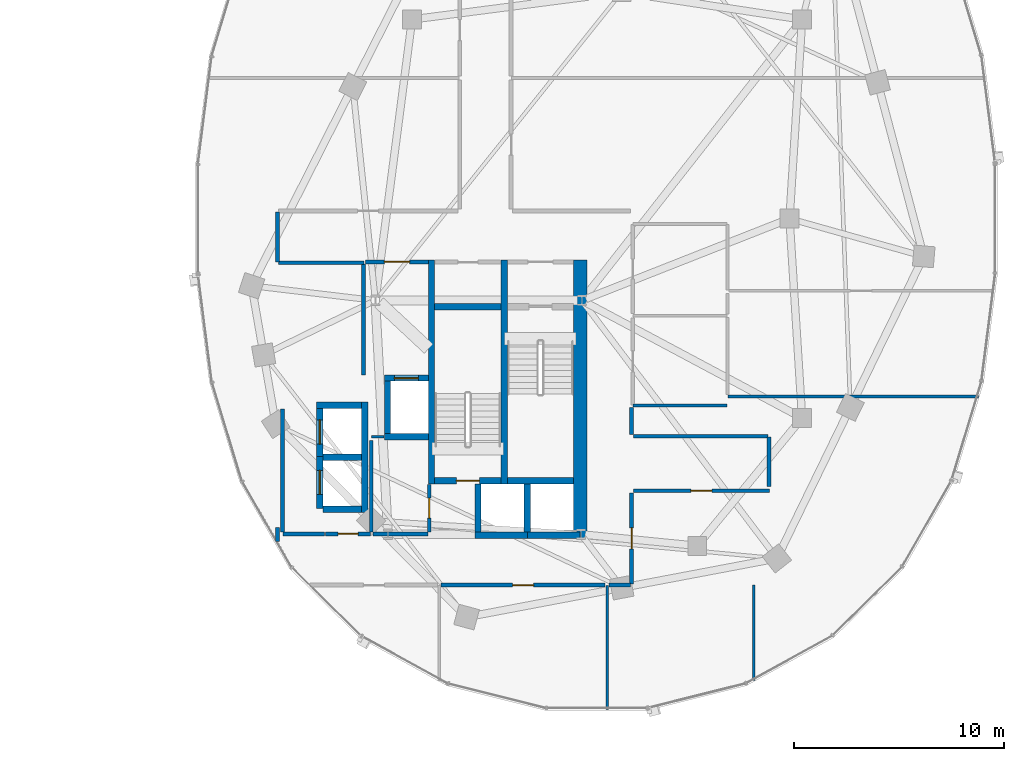
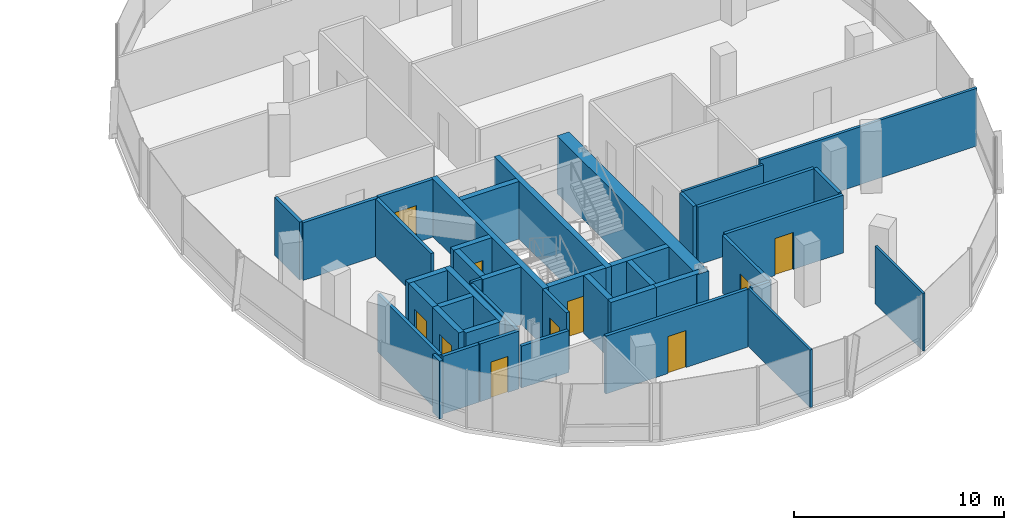
# One storey, part 14 of 23: 42 walls, 10 doors, 10 openings.
"""IFC4 building model written with IfcOpenShell, lengths in metres."""

from ifc_helpers import new_model, si_unit, direction, frame, frame_2d, origin, place, context, subcontext, project, spatial, rectangle, extrude, material, layer, layer_set, type_object, element, fill, save


model = new_model("IFC4")

# Units and contexts
model_context = context("Model", 3, precision=1e-05, world=origin(), true_north=direction((0.0, 1.0)))
body_context = subcontext(model_context, "Body", "Model", "MODEL_VIEW")
ifc_project = project(units=[si_unit("LENGTHUNIT", "METRE"), si_unit("AREAUNIT", "SQUARE_METRE"), si_unit("VOLUMEUNIT", "CUBIC_METRE"), si_unit("PLANEANGLEUNIT", "RADIAN"), si_unit("MASSUNIT", "GRAM", prefix="KILO"), si_unit("THERMODYNAMICTEMPERATUREUNIT", "KELVIN"), si_unit("POWERUNIT", "WATT")], contexts=[model_context])

# Site, building, storey
site_placement = place(None, origin())
site = spatial("IfcSite", under=ifc_project, at=site_placement, CompositionType="ELEMENT")
building_placement = place(site_placement, origin())
building = spatial("IfcBuilding", under=site, at=building_placement, Name="Cundina Bronze Exchange", CompositionType="ELEMENT")
storey_placement = place(building_placement, frame((0.0, 0.0, 176.39990234375)))
storey = spatial("IfcBuildingStorey", under=building, at=storey_placement, Name="L46", CompositionType="ELEMENT", Elevation=176.39990234375)

# Wall
ifc_material_1 = material(Name="Gypsum Fireboard Partition EI120")
ifc_layer_1 = layer(ifc_material_1, 0.179931640625, Name="Gypsum Fireboard Partition EI120")
ifc_layer_set_1 = layer_set([ifc_layer_1], Name="Gypsum Fireboard Partition EI120")
wall_type_1 = type_object("IfcWallType", Name="WL-COR-180", PredefinedType="PARTITIONING", material=ifc_layer_set_1)
wall_1_placement = place(storey_placement, frame((20.889892578125, -7.449951171875, 0.0), z_axis=(0.0, 0.0, 1.0), x_axis=(0.0, 1.0, 0.0)))
element("IfcWall", 1, at=wall_1_placement, inside=storey, type_object=wall_type_1, Name="L46 E Firefighting Lobby Side Wall", PredefinedType="PARTITIONING", context=body_context, shape_type="SweptSolid", body=[
    extrude(rectangle(XDim=5.300048828125, YDim=0.179931640625, at=frame_2d((2.64990234375, 0.0))), origin(), (0.0, 0.0, 1.0), 3.360107421875),
])

# Wall, opening, door
wall_2_placement = place(storey_placement, frame((20.97998046875, -2.06005859375, 0.0), z_axis=(0.0, 0.0, 1.0), x_axis=(1.0, 0.0, 0.0)))
wall_2 = element("IfcWall", 2, at=wall_2_placement, inside=storey, type_object=wall_type_1, Name="L46 E Firefighting Lobby Exit Wall", PredefinedType="PARTITIONING", context=body_context, shape_type="SweptSolid", body=[
    extrude(rectangle(XDim=3.0, YDim=0.179931640625, at=frame_2d((1.5, 0.0))), origin(), (0.0, 0.0, 1.0), 3.360107421875),
])
opening_1_placement = place(wall_2_placement, frame((0.89990234375, 0.0, 0.0)))
opening_1 = element("IfcOpeningElement", 3, at=opening_1_placement, cuts=wall_2, Name="Opening DF-01", PredefinedType="OPENING", context=body_context, shape_type="SweptSolid", body=[
    extrude(rectangle(XDim=1.199951171875, YDim=2.14990234375, at=frame_2d((0.60009765625, 1.074951171875))), frame((0.0, 0.099853515625, 0.0), z_axis=(0.0, -1.0, 0.0), x_axis=(1.0, 0.0, 0.0)), (0.0, 0.0, 1.0), 0.199951171875),
])
ifc_material_2 = material(Name="Steel ASTM A36 Painted", Category="steel")
door_type_1 = type_object("IfcDoorType", Name="DR-FFL-1200", OperationType="NOTDEFINED", PredefinedType="DOOR", material=ifc_material_2)
door_1_placement = place(opening_1_placement, origin())
door_1 = element("IfcDoor", 4, at=door_1_placement, inside=storey, type_object=door_type_1, Name="L46 E Firefighting Lobby Door", OperationType="SINGLE_SWING_LEFT", OverallHeight=2.14990234375, OverallWidth=1.199951171875, PredefinedType="DOOR", context=body_context, shape_type="SweptSolid", body=[
    extrude(rectangle(XDim=1.199951171875, YDim=2.14990234375, at=frame_2d((0.60009765625, 1.074951171875))), frame((0.0, 0.02490234375, 0.0), z_axis=(0.0, -1.0, 0.0), x_axis=(1.0, 0.0, 0.0)), (0.0, 0.0, 1.0), 0.050048828125),
])
fill(opening_1, door_1)

# Walls
wall_3_placement = place(storey_placement, frame((17.02001953125, -14.929931640625, 0.0), z_axis=(0.0, 0.0, 1.0), x_axis=(0.0, 1.0, 0.0)))
element("IfcWall", 5, at=wall_3_placement, inside=storey, type_object=wall_type_1, Name="L46 Interior Partition 045", PredefinedType="PARTITIONING", context=body_context, shape_type="SweptSolid", body=[
    extrude(rectangle(XDim=5.85986328125, YDim=0.179931640625, at=frame_2d((2.929931640625, 0.0))), origin(), (0.0, 0.0, 1.0), 3.360107421875),
])
wall_4_placement = place(storey_placement, frame((17.0400390625, -15.030029296875, 0.0), z_axis=(0.0, 0.0, 1.0), x_axis=(1.0, 0.0, 0.0)))
element("IfcWall", 6, at=wall_4_placement, inside=storey, type_object=wall_type_1, Name="L46 Interior Partition 046", PredefinedType="PARTITIONING", context=body_context, shape_type="SweptSolid", body=[
    extrude(rectangle(XDim=1.989990234375, YDim=0.179931640625, at=frame_2d((0.9951171875, 0.0))), origin(), (0.0, 0.0, 1.0), 3.360107421875),
])

# Wall, opening, door
wall_5_placement = place(storey_placement, frame((21.22998046875, -15.030029296875, 0.0), z_axis=(0.0, 0.0, 1.0), x_axis=(-1.0, 0.0, 0.0)))
wall_5 = element("IfcWall", 7, at=wall_5_placement, inside=storey, type_object=wall_type_1, Name="L46 Interior Partition 047", PredefinedType="PARTITIONING", context=body_context, shape_type="SweptSolid", body=[
    extrude(rectangle(XDim=2.159912109375, YDim=0.179931640625, at=frame_2d((1.080078125, 0.0))), origin(), (0.0, 0.0, 1.0), 3.360107421875),
])
opening_2_placement = place(wall_5_placement, frame((0.60498046875, 0.0, 0.0)))
opening_2 = element("IfcOpeningElement", 8, at=opening_2_placement, cuts=wall_5, Name="Opening DW-01", PredefinedType="OPENING", context=body_context, shape_type="SweptSolid", body=[
    extrude(rectangle(XDim=0.949951171875, YDim=2.10009765625, at=frame_2d((0.47509765625, 1.050048828125))), frame((0.0, 0.099853515625, 0.0), z_axis=(0.0, -1.0, 0.0), x_axis=(1.0, 0.0, 0.0)), (0.0, 0.0, 1.0), 0.199951171875),
])
ifc_material_3 = material(Name="Solid Andean Oak Timber Grade A", Category="wood")
door_type_2 = type_object("IfcDoorType", Name="DR-WC-950", OperationType="NOTDEFINED", PredefinedType="DOOR", material=ifc_material_3)
door_2_placement = place(opening_2_placement, origin())
door_2 = element("IfcDoor", 9, at=door_2_placement, inside=storey, type_object=door_type_2, Name="L46 Interior Door 047", OperationType="SINGLE_SWING_RIGHT", OverallHeight=2.10009765625, OverallWidth=0.949951171875, PredefinedType="DOOR", context=body_context, shape_type="SweptSolid", body=[
    extrude(rectangle(XDim=0.949951171875, YDim=2.10009765625, at=frame_2d((0.47509765625, 1.050048828125))), frame((0.0, 0.02490234375, 0.0), z_axis=(0.0, -1.0, 0.0), x_axis=(1.0, 0.0, 0.0)), (0.0, 0.0, 1.0), 0.050048828125),
])
fill(opening_2, door_2)

# Walls
wall_6_placement = place(storey_placement, frame((21.25, -14.929931640625, 0.0), z_axis=(0.0, 0.0, 1.0), x_axis=(0.0, 1.0, 0.0)))
element("IfcWall", 10, at=wall_6_placement, inside=storey, type_object=wall_type_1, Name="L46 Interior Partition 049", PredefinedType="PARTITIONING", context=body_context, shape_type="SweptSolid", body=[
    extrude(rectangle(XDim=4.35986328125, YDim=0.179931640625, at=frame_2d((2.179931640625, 0.0))), origin(), (0.0, 0.0, 1.0), 3.360107421875),
])
wall_7_placement = place(storey_placement, frame((21.35009765625, -15.030029296875, 0.0), z_axis=(0.0, 0.0, 1.0), x_axis=(1.0, 0.0, 0.0)))
element("IfcWall", 11, at=wall_7_placement, inside=storey, type_object=wall_type_1, Name="L46 Interior Partition 050", PredefinedType="PARTITIONING", context=body_context, shape_type="SweptSolid", body=[
    extrude(rectangle(XDim=2.60986328125, YDim=0.179931640625, at=frame_2d((1.304931640625, 0.0))), origin(), (0.0, 0.0, 1.0), 2.43310546875),
])

# Wall, opening, door
wall_8_placement = place(storey_placement, frame((24.02001953125, -14.929931640625, 0.0), z_axis=(0.0, 0.0, 1.0), x_axis=(0.0, 1.0, 0.0)))
wall_8 = element("IfcWall", 12, at=wall_8_placement, inside=storey, type_object=wall_type_1, Name="L46 Interior Partition 052", PredefinedType="PARTITIONING", context=body_context, shape_type="SweptSolid", body=[
    extrude(rectangle(XDim=2.260009765625, YDim=0.179931640625, at=frame_2d((1.1298828125, 0.0))), origin(), (0.0, 0.0, 1.0), 3.360107421875),
])
opening_3_placement = place(wall_8_placement, frame((0.655029296875, 0.0, 0.0)))
opening_3 = element("IfcOpeningElement", 13, at=opening_3_placement, cuts=wall_8, Name="Opening DW-01", PredefinedType="OPENING", context=body_context, shape_type="SweptSolid", body=[
    extrude(rectangle(XDim=0.949951171875, YDim=2.10009765625, at=frame_2d((0.47509765625, 1.050048828125))), frame((0.0, 0.099853515625, 0.0), z_axis=(0.0, -1.0, 0.0), x_axis=(1.0, 0.0, 0.0)), (0.0, 0.0, 1.0), 0.199951171875),
])
door_3_placement = place(opening_3_placement, origin())
door_3 = element("IfcDoor", 14, at=door_3_placement, inside=storey, type_object=door_type_2, Name="L46 Interior Door 052", OperationType="SINGLE_SWING_RIGHT", OverallHeight=2.10009765625, OverallWidth=0.949951171875, PredefinedType="DOOR", context=body_context, shape_type="SweptSolid", body=[
    extrude(rectangle(XDim=0.949951171875, YDim=2.10009765625, at=frame_2d((0.47509765625, 1.050048828125))), frame((0.0, 0.02490234375, 0.0), z_axis=(0.0, -1.0, 0.0), x_axis=(1.0, 0.0, 0.0)), (0.0, 0.0, 1.0), 0.050048828125),
])
fill(opening_3, door_3)

wall_9_placement = place(storey_placement, frame((24.590087890625, -17.469970703125, 0.0), z_axis=(0.0, 0.0, 1.0), x_axis=(1.0, 0.0, 0.0)))
wall_9 = element("IfcWall", 15, at=wall_9_placement, inside=storey, type_object=wall_type_1, Name="L46 Interior Partition 067", PredefinedType="PARTITIONING", context=body_context, shape_type="SweptSolid", body=[
    extrude(rectangle(XDim=7.81982421875, YDim=0.179931640625, at=frame_2d((3.909912109375, 0.0))), origin(), (0.0, 0.0, 1.0), 3.360107421875),
])
opening_4_placement = place(wall_9_placement, frame((3.409912109375, 0.0, 0.0)))
opening_4 = element("IfcOpeningElement", 16, at=opening_4_placement, cuts=wall_9, Name="Opening DO-01", PredefinedType="OPENING", context=body_context, shape_type="SweptSolid", body=[
    extrude(rectangle(XDim=1.0, YDim=2.14990234375, at=frame_2d((0.5, 1.074951171875))), frame((0.0, 0.099853515625, 0.0), z_axis=(0.0, -1.0, 0.0), x_axis=(1.0, 0.0, 0.0)), (0.0, 0.0, 1.0), 0.199951171875),
])
door_type_3 = type_object("IfcDoorType", Name="DR-OFF-1000", OperationType="NOTDEFINED", PredefinedType="DOOR", material=ifc_material_3)
door_4_placement = place(opening_4_placement, origin())
door_4 = element("IfcDoor", 17, at=door_4_placement, inside=storey, type_object=door_type_3, Name="L46 Interior Door 067", OperationType="SINGLE_SWING_LEFT", OverallHeight=2.14990234375, OverallWidth=1.0, PredefinedType="DOOR", context=body_context, shape_type="SweptSolid", body=[
    extrude(rectangle(XDim=1.0, YDim=2.14990234375, at=frame_2d((0.5, 1.074951171875))), frame((0.0, 0.02490234375, 0.0), z_axis=(0.0, -1.0, 0.0), x_axis=(1.0, 0.0, 0.0)), (0.0, 0.0, 1.0), 0.050048828125),
])
fill(opening_4, door_4)

wall_10_placement = place(storey_placement, frame((33.669921875, -17.428466796875, 0.0), z_axis=(0.0, 0.0, 1.0), x_axis=(0.0, 1.0, 0.0)))
wall_10 = element("IfcWall", 18, at=wall_10_placement, inside=storey, type_object=wall_type_1, Name="L46 Interior Partition 069", PredefinedType="PARTITIONING", context=body_context, shape_type="SweptSolid", body=[
    extrude(rectangle(XDim=4.3583984375, YDim=0.179931640625, at=frame_2d((2.17919921875, 0.0))), origin(), (0.0, 0.0, 1.0), 3.360107421875),
])
opening_5_placement = place(wall_10_placement, frame((1.67919921875, 0.0, 0.0)))
opening_5 = element("IfcOpeningElement", 19, at=opening_5_placement, cuts=wall_10, Name="Opening DO-01", PredefinedType="OPENING", context=body_context, shape_type="SweptSolid", body=[
    extrude(rectangle(XDim=1.0, YDim=2.14990234375, at=frame_2d((0.5, 1.074951171875))), frame((0.0, 0.099853515625, 0.0), z_axis=(0.0, -1.0, 0.0), x_axis=(1.0, 0.0, 0.0)), (0.0, 0.0, 1.0), 0.199951171875),
])
door_5_placement = place(opening_5_placement, origin())
door_5 = element("IfcDoor", 20, at=door_5_placement, inside=storey, type_object=door_type_3, Name="L46 Interior Door 069", OperationType="SINGLE_SWING_RIGHT", OverallHeight=2.14990234375, OverallWidth=1.0, PredefinedType="DOOR", context=body_context, shape_type="SweptSolid", body=[
    extrude(rectangle(XDim=1.0, YDim=2.14990234375, at=frame_2d((0.5, 1.074951171875))), frame((0.0, 0.02490234375, 0.0), z_axis=(0.0, -1.0, 0.0), x_axis=(1.0, 0.0, 0.0)), (0.0, 0.0, 1.0), 0.050048828125),
])
fill(opening_5, door_5)

# Wall
wall_11_placement = place(storey_placement, frame((32.590087890625, -17.469970703125, 0.0), z_axis=(0.0, 0.0, 1.0), x_axis=(1.0, 0.0, 0.0)))
element("IfcWall", 21, at=wall_11_placement, inside=storey, type_object=wall_type_1, Name="L46 Interior Partition 070", PredefinedType="PARTITIONING", context=body_context, shape_type="SweptSolid", body=[
    extrude(rectangle(XDim=1.038330078125, YDim=0.179931640625, at=frame_2d((0.51904296875, 0.0))), origin(), (0.0, 0.0, 1.0), 3.360107421875),
])

# Wall, opening, door
wall_12_placement = place(storey_placement, frame((40.238525390625, -12.969970703125, 0.0), z_axis=(0.0, 0.0, 1.0), x_axis=(-1.0, 0.0, 0.0)))
wall_12 = element("IfcWall", 22, at=wall_12_placement, inside=storey, type_object=wall_type_1, Name="L46 Interior Partition 071", PredefinedType="PARTITIONING", context=body_context, shape_type="SweptSolid", body=[
    extrude(rectangle(XDim=6.488525390625, YDim=0.179931640625, at=frame_2d((3.244140625, 0.0))), origin(), (0.0, 0.0, 1.0), 3.360107421875),
])
opening_6_placement = place(wall_12_placement, frame((2.744384765625, 0.0, 0.0)))
opening_6 = element("IfcOpeningElement", 23, at=opening_6_placement, cuts=wall_12, Name="Opening DO-01", PredefinedType="OPENING", context=body_context, shape_type="SweptSolid", body=[
    extrude(rectangle(XDim=1.0, YDim=2.14990234375, at=frame_2d((0.5, 1.074951171875))), frame((0.0, 0.099853515625, 0.0), z_axis=(0.0, -1.0, 0.0), x_axis=(1.0, 0.0, 0.0)), (0.0, 0.0, 1.0), 0.199951171875),
])
door_6_placement = place(opening_6_placement, origin())
door_6 = element("IfcDoor", 24, at=door_6_placement, inside=storey, type_object=door_type_3, Name="L46 Interior Door 071", OperationType="SINGLE_SWING_LEFT", OverallHeight=2.14990234375, OverallWidth=1.0, PredefinedType="DOOR", context=body_context, shape_type="SweptSolid", body=[
    extrude(rectangle(XDim=1.0, YDim=2.14990234375, at=frame_2d((0.5, 1.074951171875))), frame((0.0, 0.02490234375, 0.0), z_axis=(0.0, -1.0, 0.0), x_axis=(1.0, 0.0, 0.0)), (0.0, 0.0, 1.0), 0.050048828125),
])
fill(opening_6, door_6)

# Walls
wall_13_placement = place(storey_placement, frame((40.178466796875, -10.3798828125, 0.0), z_axis=(0.0, 0.0, 1.0), x_axis=(-1.0, 0.0, 0.0)))
element("IfcWall", 25, at=wall_13_placement, inside=storey, type_object=wall_type_1, Name="L46 Interior Partition 072", PredefinedType="PARTITIONING", context=body_context, shape_type="SweptSolid", body=[
    extrude(rectangle(XDim=6.428466796875, YDim=0.179931640625, at=frame_2d((3.21435546875, 0.0))), origin(), (0.0, 0.0, 1.0), 3.360107421875),
])
wall_14_placement = place(storey_placement, frame((40.219970703125, -12.778564453125, 0.0), z_axis=(0.0, 0.0, 1.0), x_axis=(0.0, 1.0, 0.0)))
element("IfcWall", 26, at=wall_14_placement, inside=storey, type_object=wall_type_1, Name="L46 Interior Partition 073", PredefinedType="PARTITIONING", context=body_context, shape_type="SweptSolid", body=[
    extrude(rectangle(XDim=2.357177734375, YDim=0.179931640625, at=frame_2d((1.1787109375, 0.0))), origin(), (0.0, 0.0, 1.0), 3.360107421875),
])
wall_15_placement = place(storey_placement, frame((33.669921875, -10.300048828125, 0.0), z_axis=(0.0, 0.0, 1.0), x_axis=(0.0, 1.0, 0.0)))
element("IfcWall", 27, at=wall_15_placement, inside=storey, type_object=wall_type_1, Name="L46 Interior Partition 074", PredefinedType="PARTITIONING", context=body_context, shape_type="SweptSolid", body=[
    extrude(rectangle(XDim=1.298583984375, YDim=0.179931640625, at=frame_2d((0.6494140625, 0.0))), origin(), (0.0, 0.0, 1.0), 3.360107421875),
])
wall_16_placement = place(storey_placement, frame((16.821533203125, -2.10009765625, 0.0), z_axis=(0.0, 0.0, 1.0), x_axis=(1.0, 0.0, 0.0)))
element("IfcWall", 28, at=wall_16_placement, inside=storey, type_object=wall_type_1, Name="L46 Interior Partition 077", PredefinedType="PARTITIONING", context=body_context, shape_type="SweptSolid", body=[
    extrude(rectangle(XDim=4.098388671875, YDim=0.179931640625, at=frame_2d((2.04931640625, 0.0))), origin(), (0.0, 0.0, 1.0), 3.360107421875),
])
wall_17_placement = place(storey_placement, frame((16.780029296875, 0.32861328125, 0.0), z_axis=(0.0, 0.0, 1.0), x_axis=(0.0, -1.0, 0.0)))
element("IfcWall", 29, at=wall_17_placement, inside=storey, type_object=wall_type_1, Name="L46 Interior Partition 078", PredefinedType="PARTITIONING", context=body_context, shape_type="SweptSolid", body=[
    extrude(rectangle(XDim=2.38720703125, YDim=0.179931640625, at=frame_2d((1.193603515625, 0.0))), origin(), (0.0, 0.0, 1.0), 3.360107421875),
])
wall_18_placement = place(storey_placement, frame((16.780029296875, -14.721435546875, 0.0), z_axis=(0.0, 0.0, 1.0), x_axis=(0.0, -1.0, 0.0)))
element("IfcWall", 30, at=wall_18_placement, inside=storey, type_object=wall_type_1, Name="L46 Interior Partition 079", PredefinedType="PARTITIONING", context=body_context, shape_type="SweptSolid", body=[
    extrude(rectangle(XDim=0.68359375, YDim=0.179931640625, at=frame_2d((0.341796875, 0.0))), origin(), (0.0, 0.0, 1.0), 3.360107421875),
])
ifc_material_4 = material(Name="Concrete C50/60", Category="concrete")
ifc_layer_2 = layer(ifc_material_4, 0.64990234375, Name="Concrete C50/60", Category="concrete")
ifc_layer_set_2 = layer_set([ifc_layer_2], Name="Concrete C50/60")
wall_type_2 = type_object("IfcWallType", Name="WL-CORE-650", PredefinedType="SHEAR", material=ifc_layer_set_2)
wall_19_placement = place(storey_placement, frame((31.22509765625, -15.300048828125, 0.0), z_axis=(0.0, 0.0, 1.0), x_axis=(0.0, 1.0, 0.0)))
element("IfcWall", 31, at=wall_19_placement, inside=storey, type_object=wall_type_2, Name="L46 E Primary Core Shear Spine Wall", PredefinedType="SHEAR", context=body_context, shape_type="SweptSolid", body=[
    extrude(rectangle(XDim=13.330078125, YDim=0.64990234375, at=frame_2d((6.6650390625, 0.0))), origin(), (0.0, 0.0, 1.0), 3.360107421875),
])
ifc_material_5 = material(Name="Gypsum Acoustic Partition EI60")
ifc_layer_3 = layer(ifc_material_5, 0.125, Name="Gypsum Acoustic Partition EI60")
ifc_layer_set_3 = layer_set([ifc_layer_3], Name="Gypsum Acoustic Partition EI60")
wall_type_3 = type_object("IfcWallType", Name="WL-OFF-125", PredefinedType="PARTITIONING", material=ifc_layer_set_3)
wall_20_placement = place(storey_placement, frame((32.5, -23.402099609375, 0.0), z_axis=(0.0, 0.0, 1.0), x_axis=(0.0, 1.0, 0.0)))
element("IfcWall", 32, at=wall_20_placement, inside=storey, type_object=wall_type_3, Name="L46 Interior Partition 065", PredefinedType="PARTITIONING", context=body_context, shape_type="SweptSolid", body=[
    extrude(rectangle(XDim=5.902099609375, YDim=0.125, at=frame_2d((2.951171875, 0.0))), origin(), (0.0, 0.0, 1.0), 3.360107421875),
])
wall_21_placement = place(storey_placement, frame((39.5, -22.025146484375, 0.0), z_axis=(0.0, 0.0, 1.0), x_axis=(0.0, 1.0, 0.0)))
element("IfcWall", 33, at=wall_21_placement, inside=storey, type_object=wall_type_3, Name="L46 Interior Partition 066", PredefinedType="PARTITIONING", context=body_context, shape_type="SweptSolid", body=[
    extrude(rectangle(XDim=4.55517578125, YDim=0.125, at=frame_2d((2.277587890625, 0.0))), origin(), (0.0, 0.0, 1.0), 3.360107421875),
])
ifc_layer_4 = layer(ifc_material_4, 0.300048828125, Name="Concrete C50/60", Category="concrete")
ifc_layer_set_4 = layer_set([ifc_layer_4], Name="Concrete C50/60")
wall_type_4 = type_object("IfcWallType", Name="WL-SHFT-300", PredefinedType="SHEAR", material=ifc_layer_set_4)
for number, where, z_axis, x_axis, name in (
    (34, (27.590087890625, -12.64990234375, 0.0), (0.0, 0.0, 1.0), (0.0, 1.0, 0.0), "L46 E Stair Shaft Dividing Shear Wall"),
    (35, (24.1298828125, -12.64990234375, 0.0), (0.0, 0.0, 1.0), (0.0, 1.0, 0.0), "L46 E Stair 2 East Shear Wall"),
):
    element("IfcWall", number, at=place(storey_placement, frame(where, z_axis=z_axis, x_axis=x_axis)), inside=storey, type_object=wall_type_4, Name=name, PredefinedType="SHEAR", context=body_context, shape_type="SweptSolid", body=[
        extrude(rectangle(XDim=10.679931640625, YDim=0.300048828125, at=frame_2d((5.33984375, 0.0))), origin(), (0.0, 0.0, 1.0), 3.360107421875),
    ])
wall_22_placement = place(storey_placement, frame((27.739990234375, -12.5, 0.0), z_axis=(0.0, 0.0, 1.0), x_axis=(1.0, 0.0, 0.0)))
element("IfcWall", 36, at=wall_22_placement, inside=storey, type_object=wall_type_4, Name="L46 Stair E1 Far Shaft Wall", PredefinedType="SHEAR", context=body_context, shape_type="SweptSolid", body=[
    extrude(rectangle(XDim=3.159912109375, YDim=0.300048828125, at=frame_2d((1.580078125, 0.0))), origin(), (0.0, 0.0, 1.0), 3.360107421875),
])

# Wall, opening, door
wall_23_placement = place(storey_placement, frame((24.280029296875, -12.5, 0.0), z_axis=(0.0, 0.0, 1.0), x_axis=(1.0, 0.0, 0.0)))
wall_23 = element("IfcWall", 37, at=wall_23_placement, inside=storey, type_object=wall_type_4, Name="L46 Stair E2 Landing Wall", PredefinedType="SHEAR", context=body_context, shape_type="SweptSolid", body=[
    extrude(rectangle(XDim=3.159912109375, YDim=0.300048828125, at=frame_2d((1.580078125, 0.0))), origin(), (0.0, 0.0, 1.0), 3.360107421875),
])
opening_7_placement = place(wall_23_placement, frame((1.030029296875, 0.0, 0.0)))
opening_7 = element("IfcOpeningElement", 38, at=opening_7_placement, cuts=wall_23, Name="Opening DS-01", PredefinedType="OPENING", context=body_context, shape_type="SweptSolid", body=[
    extrude(rectangle(XDim=1.10009765625, YDim=2.14990234375, at=frame_2d((0.550048828125, 1.074951171875))), frame((0.0, 0.159912109375, 0.0), z_axis=(0.0, -1.0, 0.0), x_axis=(1.0, 0.0, 0.0)), (0.0, 0.0, 1.0), 0.320068359375),
])
door_type_4 = type_object("IfcDoorType", Name="DR-STR-1100", OperationType="NOTDEFINED", PredefinedType="DOOR", material=ifc_material_2)
door_7_placement = place(opening_7_placement, origin())
door_7 = element("IfcDoor", 39, at=door_7_placement, inside=storey, type_object=door_type_4, Name="L46 Smokeproof Stair E2 Door", OperationType="SINGLE_SWING_RIGHT", OverallHeight=2.14990234375, OverallWidth=1.10009765625, PredefinedType="DOOR", context=body_context, shape_type="SweptSolid", body=[
    extrude(rectangle(XDim=1.10009765625, YDim=2.14990234375, at=frame_2d((0.550048828125, 1.074951171875))), frame((0.0, 0.02490234375, 0.0), z_axis=(0.0, -1.0, 0.0), x_axis=(1.0, 0.0, 0.0)), (0.0, 0.0, 1.0), 0.050048828125),
])
fill(opening_7, door_7)

# Wall
wall_24_placement = place(storey_placement, frame((24.280029296875, -4.199951171875, 0.0), z_axis=(0.0, 0.0, 1.0), x_axis=(1.0, 0.0, 0.0)))
element("IfcWall", 40, at=wall_24_placement, inside=storey, type_object=wall_type_4, Name="L46 Stair E2 Far Shaft Wall", PredefinedType="SHEAR", context=body_context, shape_type="SweptSolid", body=[
    extrude(rectangle(XDim=3.159912109375, YDim=0.300048828125, at=frame_2d((1.580078125, 0.0))), origin(), (0.0, 0.0, 1.0), 3.360107421875),
])

# Wall, opening, door
wall_25_placement = place(storey_placement, frame((21.8798828125, -7.60009765625, 0.0), z_axis=(0.0, 0.0, 1.0), x_axis=(1.0, 0.0, 0.0)))
wall_25 = element("IfcWall", 41, at=wall_25_placement, inside=storey, type_object=wall_type_4, Name="L46 FFL-E Hoistway Front Wall", PredefinedType="SHEAR", context=body_context, shape_type="SweptSolid", body=[
    extrude(rectangle(XDim=2.10009765625, YDim=0.300048828125, at=frame_2d((1.050048828125, 0.0))), origin(), (0.0, 0.0, 1.0), 3.360107421875),
])
opening_8_placement = place(wall_25_placement, frame((0.47509765625, 0.0, 0.0)))
opening_8 = element("IfcOpeningElement", 42, at=opening_8_placement, cuts=wall_25, Name="Opening LD-01", PredefinedType="OPENING", context=body_context, shape_type="SweptSolid", body=[
    extrude(rectangle(XDim=1.14990234375, YDim=2.199951171875, at=frame_2d((0.574951171875, 1.10009765625))), frame((0.0, 0.159912109375, 0.0), z_axis=(0.0, -1.0, 0.0), x_axis=(1.0, 0.0, 0.0)), (0.0, 0.0, 1.0), 0.320068359375),
])
door_type_5 = type_object("IfcDoorType", Name="DR-LND-1150", OperationType="NOTDEFINED", PredefinedType="TRAPDOOR", material=ifc_material_2)
door_8_placement = place(opening_8_placement, origin())
door_8 = element("IfcDoor", 43, at=door_8_placement, inside=storey, type_object=door_type_5, Name="L46 FFL-E Sliding Landing Door", OperationType="SLIDING_TO_LEFT", OverallHeight=2.199951171875, OverallWidth=1.14990234375, PredefinedType="TRAPDOOR", context=body_context, shape_type="SweptSolid", body=[
    extrude(rectangle(XDim=1.14990234375, YDim=2.199951171875, at=frame_2d((0.574951171875, 1.10009765625))), frame((0.0, 0.02490234375, 0.0), z_axis=(0.0, -1.0, 0.0), x_axis=(1.0, 0.0, 0.0)), (0.0, 0.0, 1.0), 0.050048828125),
])
fill(opening_8, door_8)

# Walls
wall_26_placement = place(storey_placement, frame((21.8798828125, -10.39990234375, 0.0), z_axis=(0.0, 0.0, 1.0), x_axis=(1.0, 0.0, 0.0)))
element("IfcWall", 44, at=wall_26_placement, inside=storey, type_object=wall_type_4, Name="L46 FFL-E Hoistway Back Wall", PredefinedType="SHEAR", context=body_context, shape_type="SweptSolid", body=[
    extrude(rectangle(XDim=2.10009765625, YDim=0.300048828125, at=frame_2d((1.050048828125, 0.0))), origin(), (0.0, 0.0, 1.0), 3.360107421875),
])
for number, where, z_axis, x_axis, name in (
    (45, (22.030029296875, -10.25, 0.0), (0.0, 0.0, 1.0), (0.0, 1.0, 0.0), "L46 FFL-E Hoistway Side Wall"),
    (46, (28.699951171875, -15.10009765625, 0.0), (0.0, 0.0, 1.0), (1.0, 0.0, 0.0), "L46 PH-E1 Hoistway Front Wall"),
):
    element("IfcWall", number, at=place(storey_placement, frame(where, z_axis=z_axis, x_axis=x_axis)), inside=storey, type_object=wall_type_4, Name=name, PredefinedType="SHEAR", context=body_context, shape_type="SweptSolid", body=[
        extrude(rectangle(XDim=2.5, YDim=0.300048828125, at=frame_2d((1.25, 0.0))), origin(), (0.0, 0.0, 1.0), 3.360107421875),
    ])
wall_27_placement = place(storey_placement, frame((28.699951171875, -14.949951171875, 0.0), z_axis=(0.0, 0.0, 1.0), x_axis=(0.0, 1.0, 0.0)))
element("IfcWall", 47, at=wall_27_placement, inside=storey, type_object=wall_type_4, Name="L46 PH-E1 Hoistway Divider Wall", PredefinedType="SHEAR", context=body_context, shape_type="SweptSolid", body=[
    extrude(rectangle(XDim=2.300048828125, YDim=0.300048828125, at=frame_2d((1.14990234375, 0.0))), origin(), (0.0, 0.0, 1.0), 3.360107421875),
])
wall_28_placement = place(storey_placement, frame((26.199951171875, -15.10009765625, 0.0), z_axis=(0.0, 0.0, 1.0), x_axis=(1.0, 0.0, 0.0)))
element("IfcWall", 48, at=wall_28_placement, inside=storey, type_object=wall_type_4, Name="L46 PH-E2 Hoistway Front Wall", PredefinedType="SHEAR", context=body_context, shape_type="SweptSolid", body=[
    extrude(rectangle(XDim=2.5, YDim=0.300048828125, at=frame_2d((1.25, 0.0))), origin(), (0.0, 0.0, 1.0), 3.360107421875),
])
wall_29_placement = place(storey_placement, frame((26.35009765625, -14.949951171875, 0.0), z_axis=(0.0, 0.0, 1.0), x_axis=(0.0, 1.0, 0.0)))
element("IfcWall", 49, at=wall_29_placement, inside=storey, type_object=wall_type_4, Name="L46 PH-E2 Hoistway Divider Wall", PredefinedType="SHEAR", context=body_context, shape_type="SweptSolid", body=[
    extrude(rectangle(XDim=2.300048828125, YDim=0.300048828125, at=frame_2d((1.14990234375, 0.0))), origin(), (0.0, 0.0, 1.0), 3.360107421875),
])
wall_30_placement = place(storey_placement, frame((20.949951171875, -14.0, 0.0), z_axis=(0.0, 0.0, 1.0), x_axis=(0.0, 1.0, 0.0)))
element("IfcWall", 50, at=wall_30_placement, inside=storey, type_object=wall_type_4, Name="L46 E Passenger Bank Hoistway Back Wall", PredefinedType="SHEAR", context=body_context, shape_type="SweptSolid", body=[
    extrude(rectangle(XDim=5.25, YDim=0.300048828125, at=frame_2d((2.625, 0.0))), origin(), (0.0, 0.0, 1.0), 3.360107421875),
])
wall_31_placement = place(storey_placement, frame((18.949951171875, -13.85009765625, 0.0), z_axis=(0.0, 0.0, 1.0), x_axis=(1.0, 0.0, 0.0)))
element("IfcWall", 51, at=wall_31_placement, inside=storey, type_object=wall_type_4, Name="L46 E Passenger Bank South Cap Wall", PredefinedType="SHEAR", context=body_context, shape_type="SweptSolid", body=[
    extrude(rectangle(XDim=1.85009765625, YDim=0.300048828125, at=frame_2d((0.925048828125, 0.0))), origin(), (0.0, 0.0, 1.0), 3.360107421875),
])
wall_32_placement = place(storey_placement, frame((18.64990234375, -8.89990234375, 0.0), z_axis=(0.0, 0.0, 1.0), x_axis=(1.0, 0.0, 0.0)))
element("IfcWall", 52, at=wall_32_placement, inside=storey, type_object=wall_type_4, Name="L46 E Passenger Bank North Cap Wall", PredefinedType="SHEAR", context=body_context, shape_type="SweptSolid", body=[
    extrude(rectangle(XDim=2.150146484375, YDim=0.300048828125, at=frame_2d((1.0751953125, 0.0))), origin(), (0.0, 0.0, 1.0), 3.360107421875),
])
wall_33_placement = place(storey_placement, frame((18.949951171875, -11.375, 0.0), z_axis=(0.0, 0.0, 1.0), x_axis=(1.0, 0.0, 0.0)))
element("IfcWall", 53, at=wall_33_placement, inside=storey, type_object=wall_type_4, Name="L46 E Passenger Hoistway Divider 1", PredefinedType="SHEAR", context=body_context, shape_type="SweptSolid", body=[
    extrude(rectangle(XDim=1.85009765625, YDim=0.300048828125, at=frame_2d((0.925048828125, 0.0))), origin(), (0.0, 0.0, 1.0), 3.360107421875),
])

# Wall, opening, door
wall_34_placement = place(storey_placement, frame((18.800048828125, -13.820068359375, 0.0), z_axis=(0.0, 0.0, 1.0), x_axis=(0.0, 1.0, 0.0)))
wall_34 = element("IfcWall", 54, at=wall_34_placement, inside=storey, type_object=wall_type_4, Name="L46 PM-E1 Hoistway Front Wall", PredefinedType="SHEAR", context=body_context, shape_type="SweptSolid", body=[
    extrude(rectangle(XDim=2.489990234375, YDim=0.300048828125, at=frame_2d((1.2451171875, 0.0))), origin(), (0.0, 0.0, 1.0), 3.360107421875),
])
opening_9_placement = place(wall_34_placement, frame((0.669921875, 0.0, 0.0)))
opening_9 = element("IfcOpeningElement", 55, at=opening_9_placement, cuts=wall_34, Name="Opening LD-01", PredefinedType="OPENING", context=body_context, shape_type="SweptSolid", body=[
    extrude(rectangle(XDim=1.14990234375, YDim=2.199951171875, at=frame_2d((0.574951171875, 1.10009765625))), frame((0.0, 0.159912109375, 0.0), z_axis=(0.0, -1.0, 0.0), x_axis=(1.0, 0.0, 0.0)), (0.0, 0.0, 1.0), 0.320068359375),
])
door_9_placement = place(opening_9_placement, origin())
door_9 = element("IfcDoor", 56, at=door_9_placement, inside=storey, type_object=door_type_5, Name="L46 PM-E1 Sliding Landing Door", OperationType="SLIDING_TO_LEFT", OverallHeight=2.199951171875, OverallWidth=1.14990234375, PredefinedType="TRAPDOOR", context=body_context, shape_type="SweptSolid", body=[
    extrude(rectangle(XDim=1.14990234375, YDim=2.199951171875, at=frame_2d((0.574951171875, 1.10009765625))), frame((0.0, 0.02490234375, 0.0), z_axis=(0.0, -1.0, 0.0), x_axis=(1.0, 0.0, 0.0)), (0.0, 0.0, 1.0), 0.050048828125),
])
fill(opening_9, door_9)

wall_35_placement = place(storey_placement, frame((18.800048828125, -11.419921875, 0.0), z_axis=(0.0, 0.0, 1.0), x_axis=(0.0, 1.0, 0.0)))
wall_35 = element("IfcWall", 57, at=wall_35_placement, inside=storey, type_object=wall_type_4, Name="L46 PM-E2 Hoistway Front Wall", PredefinedType="SHEAR", context=body_context, shape_type="SweptSolid", body=[
    extrude(rectangle(XDim=2.489990234375, YDim=0.300048828125, at=frame_2d((1.2451171875, 0.0))), origin(), (0.0, 0.0, 1.0), 3.360107421875),
])
opening_10_placement = place(wall_35_placement, frame((0.669921875, 0.0, 0.0)))
opening_10 = element("IfcOpeningElement", 58, at=opening_10_placement, cuts=wall_35, Name="Opening LD-01", PredefinedType="OPENING", context=body_context, shape_type="SweptSolid", body=[
    extrude(rectangle(XDim=1.14990234375, YDim=2.199951171875, at=frame_2d((0.574951171875, 1.10009765625))), frame((0.0, 0.159912109375, 0.0), z_axis=(0.0, -1.0, 0.0), x_axis=(1.0, 0.0, 0.0)), (0.0, 0.0, 1.0), 0.320068359375),
])
door_10_placement = place(opening_10_placement, origin())
door_10 = element("IfcDoor", 59, at=door_10_placement, inside=storey, type_object=door_type_5, Name="L46 PM-E2 Sliding Landing Door", OperationType="SLIDING_TO_LEFT", OverallHeight=2.199951171875, OverallWidth=1.14990234375, PredefinedType="TRAPDOOR", context=body_context, shape_type="SweptSolid", body=[
    extrude(rectangle(XDim=1.14990234375, YDim=2.199951171875, at=frame_2d((0.574951171875, 1.10009765625))), frame((0.0, 0.02490234375, 0.0), z_axis=(0.0, -1.0, 0.0), x_axis=(1.0, 0.0, 0.0)), (0.0, 0.0, 1.0), 0.050048828125),
])
fill(opening_10, door_10)

# Walls
ifc_layer_5 = layer(ifc_material_5, 0.14990234375, Name="Gypsum Acoustic Partition EI60")
ifc_layer_set_5 = layer_set([ifc_layer_5], Name="Gypsum Acoustic Partition EI60")
wall_type_5 = type_object("IfcWallType", Name="WL-TEN-150", PredefinedType="PARTITIONING", material=ifc_layer_set_5)
wall_36_placement = place(storey_placement, frame((38.27001953125, -8.47998046875, 0.0), z_axis=(0.0, 0.0, 1.0), x_axis=(1.0, 0.0, 0.0)))
element("IfcWall", 60, at=wall_36_placement, inside=storey, type_object=wall_type_5, Name="L46 Interior Partition 063", PredefinedType="PARTITIONING", context=body_context, shape_type="SweptSolid", body=[
    extrude(rectangle(XDim=11.93603515625, YDim=0.14990234375, at=frame_2d((5.968017578125, 0.0))), origin(), (0.0, 0.0, 1.0), 3.360107421875),
])
ifc_material_6 = material(Name="Moisture-Resistant Masonry Block Grade M15", Category="masonry")
ifc_layer_6 = layer(ifc_material_6, 0.139892578125, Name="Moisture-Resistant Masonry Block Grade M15", Category="masonry")
ifc_layer_set_6 = layer_set([ifc_layer_6], Name="Moisture-Resistant Masonry Block Grade M15")
wall_type_6 = type_object("IfcWallType", Name="WL-WET-140", PredefinedType="PARTITIONING", material=ifc_layer_set_6)
wall_37_placement = place(storey_placement, frame((21.27001953125, -10.39990234375, 0.0), z_axis=(0.0, 0.0, 1.0), x_axis=(1.0, 0.0, 0.0)))
element("IfcWall", 61, at=wall_37_placement, inside=storey, type_object=wall_type_6, Name="L46 Interior Partition 048", PredefinedType="PARTITIONING", context=body_context, shape_type="SweptSolid", body=[
    extrude(rectangle(XDim=0.590087890625, YDim=0.139892578125, at=frame_2d((0.294921875, 0.0))), origin(), (0.0, 0.0, 1.0), 3.360107421875),
])
wall_38_placement = place(storey_placement, frame((33.739990234375, -8.909912109375, 0.0), z_axis=(0.0, 0.0, 1.0), x_axis=(1.0, 0.0, 0.0)))
element("IfcWall", 62, at=wall_38_placement, inside=storey, type_object=wall_type_6, Name="L46 Interior Partition 058", PredefinedType="PARTITIONING", context=body_context, shape_type="SweptSolid", body=[
    extrude(rectangle(XDim=4.47998046875, YDim=0.139892578125, at=frame_2d((2.239990234375, 0.0))), origin(), (0.0, 0.0, 1.0), 3.360107421875),
])

save(model, "model.ifc")
